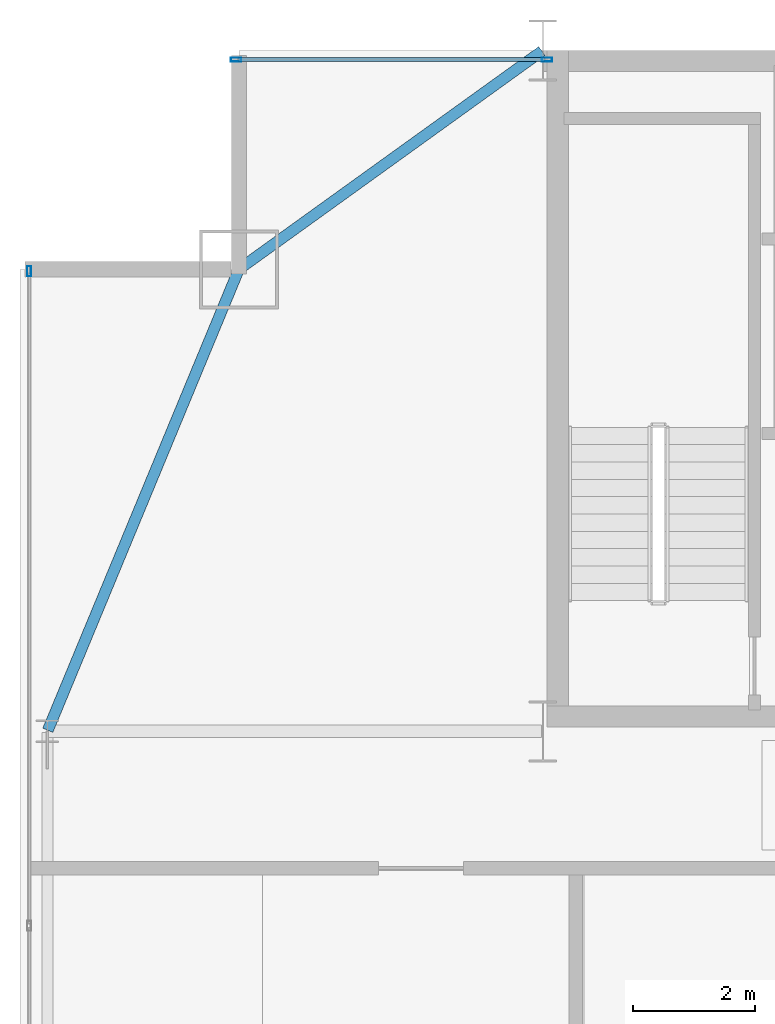
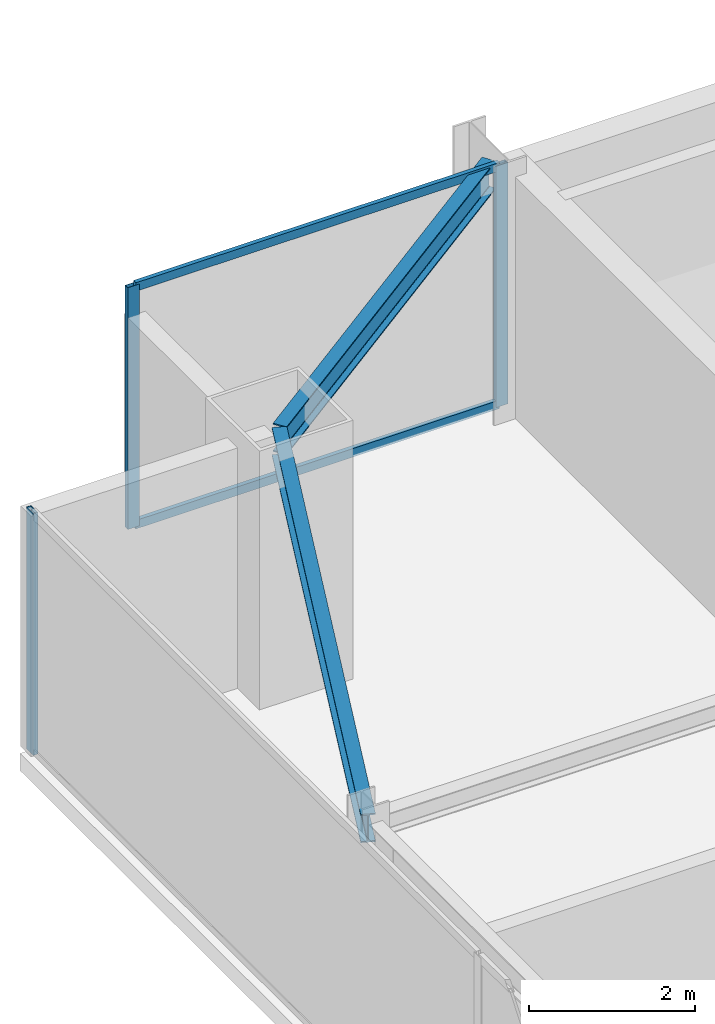
# One storey, part 20 of 29: 5 members, 2 beams, 2 elements without a shape of their own.
"""IFC4 building model written with IfcOpenShell, lengths in metres."""

from ifc_helpers import new_model, si_unit, direction, frame, origin, origin_2d, place, context, subcontext, project, spatial, hollow_rectangle, i_section, extrude, source, transform, mapped, material, layer, layer_set, material_profile, profile_set, type_object, type_shapes, element, aggregate, save


model = new_model("IFC4")

# Units and contexts
model_context = context("Model", 3, precision=1e-05, world=origin(), true_north=direction((0.0, 1.0)))
body_context = subcontext(model_context, "Body", "Model", "MODEL_VIEW")
ifc_project = project(units=[si_unit("LENGTHUNIT", "METRE"), si_unit("AREAUNIT", "SQUARE_METRE"), si_unit("VOLUMEUNIT", "CUBIC_METRE"), si_unit("PLANEANGLEUNIT", "RADIAN"), si_unit("MASSUNIT", "GRAM", prefix="KILO")], contexts=[model_context])

# Site, building, storey
site_placement = place(None, origin())
site = spatial("IfcSite", under=ifc_project, at=site_placement, CompositionType="ELEMENT")
building_placement = place(site_placement, origin())
building = spatial("IfcBuilding", under=site, at=building_placement, Name="Varnel Quay Broadcast Tower", CompositionType="ELEMENT")
storey_placement = place(building_placement, frame((0.0, 0.0, 172.39990234375)))
storey = spatial("IfcBuildingStorey", under=building, at=storey_placement, Name="L42", CompositionType="ELEMENT", Elevation=172.39990234375)

# Beams
ifc_material_1 = material(Name="Structural Steel CSA G40.21 350W", Category="steel")
ifc_material_profile_1 = material_profile(ifc_material_1, i_section(OverallWidth=0.180908203125, OverallDepth=0.4169921875, WebThickness=0.010986328125, FlangeThickness=0.018310546875, FilletRadius=0.011962890625, at=origin_2d()), Name="W410X85")
ifc_profile_set_1 = profile_set([ifc_material_profile_1], Name="Structural Steel CSA G40.21 350W")
beam_type = type_object("IfcBeamType", Name="Beam_W410X85", PredefinedType="SPANDREL", material=ifc_profile_set_1)
shared_shape_1 = source(origin(), body_context, "Body", "SweptSolid", [
    extrude(i_section(OverallWidth=0.180908203125, OverallDepth=0.4169921875, WebThickness=0.010986328125, FlangeThickness=0.018310546875, FilletRadius=0.011962890625, at=origin_2d()), origin(), (0.0, 0.0, 1.0), 8.186767578125),
])
beam_1_placement = place(storey_placement, frame((7.457763671875, 35.618408203125, 3.341552734375), z_axis=(0.382874132092, 0.923800519038, 0.0), x_axis=(-0.923800519038, 0.382874132092, 0.0)))
element("IfcBeam", 1, at=beam_1_placement, inside=storey, type_object=beam_type, Name="L42 West Spandrel TC-W3-MC-NW", PredefinedType="SPANDREL", context=body_context, shape_type="MappedRepresentation", body=[
    mapped(shared_shape_1, transform((0.0, 0.0, 0.0), x_axis=(1.0, 0.0, 0.0), y_axis=(0.0, 1.0, 0.0), z_axis=(0.0, 0.0, 1.0), scale=1.0)),
])
shared_shape_2 = source(origin(), body_context, "Body", "SweptSolid", [
    extrude(i_section(OverallWidth=0.180908203125, OverallDepth=0.4169921875, WebThickness=0.010986328125, FlangeThickness=0.018310546875, FilletRadius=0.011962890625, at=origin_2d()), origin(), (0.0, 0.0, 1.0), 6.12109375),
])
type_shapes(beam_type, [shared_shape_1, shared_shape_2])
beam_2_placement = place(storey_placement, frame((10.6162109375, 43.211669921875, 3.341552734375), z_axis=(0.811531315425, 0.584308928637, 0.0), x_axis=(-0.584308928637, 0.811531315425, 0.0)))
element("IfcBeam", 2, at=beam_2_placement, inside=storey, type_object=beam_type, Name="L42 NW Tie Spandrel", PredefinedType="SPANDREL", context=body_context, shape_type="MappedRepresentation", body=[
    mapped(shared_shape_2, transform((0.0, 0.0, 0.0), x_axis=(1.0, 0.0, 0.0), y_axis=(0.0, 1.0, 0.0), z_axis=(0.0, 0.0, 1.0), scale=1.0)),
])

# Curtain wall, member
ifc_material_2 = material(Name="Anodised Bronze Aluminium 6063-T6", Category="aluminium")
ifc_layer = layer(ifc_material_2, 0.18994140625, Name="Anodised Bronze Aluminium 6063-T6")
ifc_layer_set = layer_set([ifc_layer], Name="Anodised Bronze Aluminium 6063-T6")
curtain_wall_type = type_object("IfcCurtainWallType", Name="CW_UpperTower", PredefinedType="NOTDEFINED", material=ifc_layer_set)
curtain_wall_1_placement = place(storey_placement, origin())
curtain_wall_1 = element("IfcCurtainWall", 3, at=curtain_wall_1_placement, inside=storey, type_object=curtain_wall_type, Name="L42 West Unitised Curtain Wall", PredefinedType="NOTDEFINED")
ifc_material_profile_2 = material_profile(ifc_material_2, hollow_rectangle(XDim=0.06494140625, YDim=0.1650390625, WallThickness=0.00341796875, at=origin_2d()), Name="ALU65X165X3.5")
ifc_profile_set_2 = profile_set([ifc_material_profile_2], Name="Anodised Bronze Aluminium 6063-T6")
member_type_1 = type_object("IfcMemberType", Name="Mull_CWS-03", PredefinedType="MULLION", material=ifc_profile_set_2)
shared_shape_3 = source(origin(), body_context, "Body", "SweptSolid", [
    extrude(hollow_rectangle(XDim=0.06494140625, YDim=0.1650390625, WallThickness=0.00341796875, at=origin_2d()), origin(), (0.0, 0.0, 1.0), 3.550048828125),
])
type_shapes(member_type_1, [shared_shape_3])
member_1_placement = place(storey_placement, frame((7.14990234375, 43.16748046875, 0.0), z_axis=(0.0, 0.0, 1.0), x_axis=(-1.0, 0.0, 0.0)))
member_1 = element("IfcMember", 4, at=member_1_placement, type_object=member_type_1, Name="CWS-03 mullion 4", PredefinedType="MULLION", context=body_context, shape_type="MappedRepresentation", body=[
    mapped(shared_shape_3, transform((0.0, 0.0, 0.0), x_axis=(1.0, 0.0, 0.0), y_axis=(0.0, 1.0, 0.0), z_axis=(0.0, 0.0, 1.0), scale=1.0)),
])
aggregate(curtain_wall_1, [member_1])

# Curtain wall, members
curtain_wall_2_placement = place(storey_placement, origin())
curtain_wall_2 = element("IfcCurtainWall", 5, at=curtain_wall_2_placement, inside=storey, type_object=curtain_wall_type, Name="L42 NW Wing Curtain Wall", PredefinedType="NOTDEFINED")
member_2_placement = place(storey_placement, frame((10.552490234375, 46.64990234375, 0.0), z_axis=(0.0, 0.0, 1.0), x_axis=(0.0, 1.0, 0.0)))
member_2 = element("IfcMember", 6, at=member_2_placement, type_object=member_type_1, Name="CWS-03 mullion 1", PredefinedType="MULLION", context=body_context, shape_type="MappedRepresentation", body=[
    mapped(shared_shape_3, transform((0.0, 0.0, 0.0), x_axis=(1.0, 0.0, 0.0), y_axis=(0.0, 1.0, 0.0), z_axis=(0.0, 0.0, 1.0), scale=1.0)),
])
member_3_placement = place(storey_placement, frame((15.66748046875, 46.64990234375, 0.0), z_axis=(0.0, 0.0, 1.0), x_axis=(0.0, 1.0, 0.0)))
member_3 = element("IfcMember", 7, at=member_3_placement, type_object=member_type_1, Name="CWS-03 mullion 2", PredefinedType="MULLION", context=body_context, shape_type="MappedRepresentation", body=[
    mapped(shared_shape_3, transform((0.0, 0.0, 0.0), x_axis=(1.0, 0.0, 0.0), y_axis=(0.0, 1.0, 0.0), z_axis=(0.0, 0.0, 1.0), scale=1.0)),
])
ifc_material_profile_3 = material_profile(ifc_material_2, hollow_rectangle(XDim=0.06005859375, YDim=0.125, WallThickness=0.0029296875, at=origin_2d()), Name="ALU60X125X3")
ifc_profile_set_3 = profile_set([ifc_material_profile_3], Name="Anodised Bronze Aluminium 6063-T6")
member_type_2 = type_object("IfcMemberType", Name="Tran_CWS-03", PredefinedType="USERDEFINED", material=ifc_profile_set_3)
shared_shape_4 = source(origin(), body_context, "Body", "SweptSolid", [
    extrude(hollow_rectangle(XDim=0.06005859375, YDim=0.125, WallThickness=0.0029296875, at=origin_2d()), origin(), (0.0, 0.0, 1.0), 5.050048828125),
])
type_shapes(member_type_2, [shared_shape_4])
member_4_placement = place(storey_placement, frame((10.5849609375, 46.64990234375, 0.030029296875), z_axis=(1.0, 0.0, 0.0), x_axis=(0.0, 1.0, 0.0)))
member_4 = element("IfcMember", 8, at=member_4_placement, type_object=member_type_2, Name="CWS-03 transom 1.1", ObjectType="TRANSOM", PredefinedType="USERDEFINED", context=body_context, shape_type="MappedRepresentation", body=[
    mapped(shared_shape_4, transform((0.0, 0.0, 0.0), x_axis=(1.0, 0.0, 0.0), y_axis=(0.0, 1.0, 0.0), z_axis=(0.0, 0.0, 1.0), scale=1.0)),
])
member_5_placement = place(storey_placement, frame((10.5849609375, 46.64990234375, 3.52001953125), z_axis=(1.0, 0.0, 0.0), x_axis=(0.0, 1.0, 0.0)))
member_5 = element("IfcMember", 9, at=member_5_placement, type_object=member_type_2, Name="CWS-03 transom 1.2", ObjectType="TRANSOM", PredefinedType="USERDEFINED", context=body_context, shape_type="MappedRepresentation", body=[
    mapped(shared_shape_4, transform((0.0, 0.0, 0.0), x_axis=(1.0, 0.0, 0.0), y_axis=(0.0, 1.0, 0.0), z_axis=(0.0, 0.0, 1.0), scale=1.0)),
])
aggregate(curtain_wall_2, [member_2, member_3, member_4, member_5])

save(model, "model.ifc")
